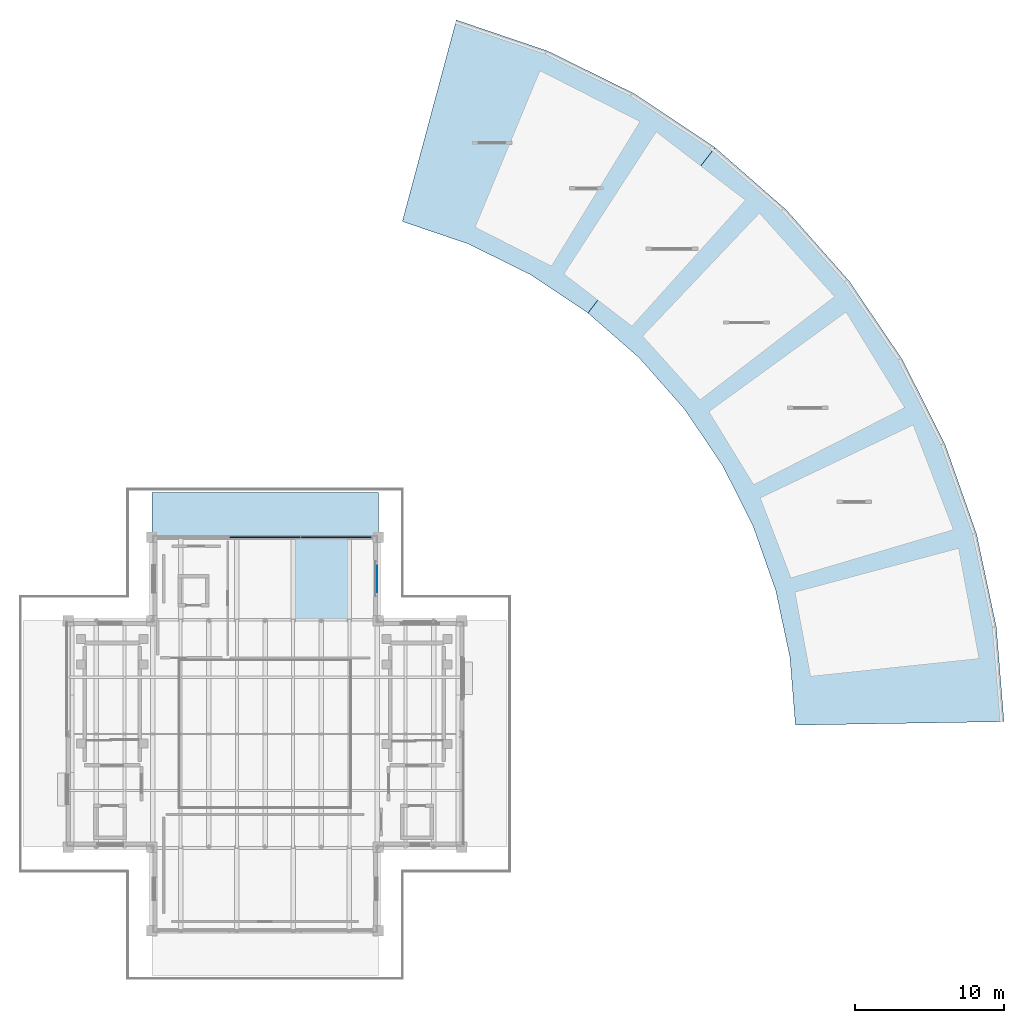
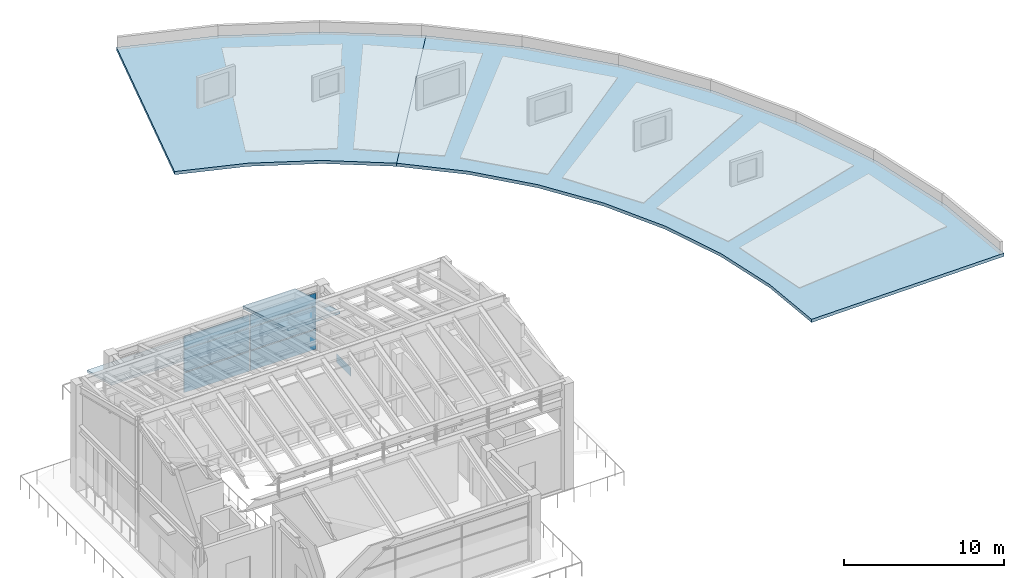
# One storey, part 5 of 11: 7 plates, 4 slabs, 1 element without a shape of its own.
"""IFC4 building model written with IfcOpenShell, lengths in metres."""

from ifc_helpers import new_model, si_unit, direction, frame, origin, origin_2d, place, context, subcontext, project, spatial, polyline, rectangle, outline, extrude, material, layer, layer_set, type_object, element, aggregate, save


model = new_model("IFC4")

# Units and contexts
model_context = context("Model", 3, precision=1e-05, world=origin(), true_north=direction((0.0, 1.0)))
body_context = subcontext(model_context, "Body", "Model", "MODEL_VIEW")
ifc_project = project(units=[si_unit("LENGTHUNIT", "METRE"), si_unit("AREAUNIT", "SQUARE_METRE"), si_unit("VOLUMEUNIT", "CUBIC_METRE"), si_unit("PLANEANGLEUNIT", "RADIAN"), si_unit("MASSUNIT", "GRAM", prefix="KILO")], contexts=[model_context])

# Site, building, storey
site_placement = place(None, origin())
site = spatial("IfcSite", under=ifc_project, at=site_placement, CompositionType="ELEMENT")
building_placement = place(site_placement, origin())
building = spatial("IfcBuilding", under=site, at=building_placement, Name="Saryqyr Civic Hall", CompositionType="ELEMENT")
storey_placement = place(building_placement, frame((0.0, 0.0, 29.39990234375)))
storey = spatial("IfcBuildingStorey", under=building, at=storey_placement, Name="L07", CompositionType="ELEMENT", Elevation=29.39990234375)

# Curtain wall, plates
ifc_material_1 = material(Name="Anodised aluminium and triple low-E glass", Category="aluminium")
curtain_wall_type = type_object("IfcCurtainWallType", Name="ENV-CW-HVY-50", PredefinedType="NOTDEFINED", material=ifc_material_1)
curtain_wall_placement = place(storey_placement, origin())
curtain_wall = element("IfcCurtainWall", 1, at=curtain_wall_placement, inside=storey, type_object=curtain_wall_type, Name="Curtain wall V1-CW-L07-05", PredefinedType="NOTDEFINED")
ifc_material_2 = material(Name="Acoustic laminated low-E glazing", Category="glass")
ifc_layer_1 = layer(ifc_material_2, 0.072021484375, Name="Acoustic laminated low-E glazing")
ifc_layer_set_1 = layer_set([ifc_layer_1], Name="Acoustic laminated low-E glazing")
plate_type_1 = type_object("IfcPlateType", Name="ENV-CW-PNL-52", PredefinedType="CURTAIN_PANEL", material=ifc_layer_set_1)
plate_1_placement = place(storey_placement, frame((57.0, 97.199951171875, 0.0703125), z_axis=(0.0, 0.0, 1.0), x_axis=(1.0, 0.0, 0.0)))
plate_1 = element("IfcPlate", 2, at=plate_1_placement, type_object=plate_type_1, Name="CW-50 panel 2.1", PredefinedType="CURTAIN_PANEL", context=body_context, shape_type="SweptSolid", body=[
    extrude(rectangle(XDim=4.736572265625, YDim=0.072021484375, at=origin_2d()), origin(), (0.0, 0.0, 1.0), 1.488037109375),
])
plate_2_placement = place(storey_placement, frame((57.0, 97.199951171875, 1.6279296875), z_axis=(0.0, 0.0, 1.0), x_axis=(1.0, 0.0, 0.0)))
plate_2 = element("IfcPlate", 3, at=plate_2_placement, type_object=plate_type_1, Name="CW-50 panel 2.2", PredefinedType="CURTAIN_PANEL", context=body_context, shape_type="SweptSolid", body=[
    extrude(rectangle(XDim=4.736572265625, YDim=0.072021484375, at=origin_2d()), origin(), (0.0, 0.0, 1.0), 1.699951171875),
])
plate_3_placement = place(storey_placement, frame((57.0, 97.199951171875, 3.398193359375), z_axis=(0.0, 0.0, 1.0), x_axis=(1.0, 0.0, 0.0)))
plate_3 = element("IfcPlate", 4, at=plate_3_placement, type_object=plate_type_1, Name="CW-50 panel 2.3", PredefinedType="CURTAIN_PANEL", context=body_context, shape_type="SweptSolid", body=[
    extrude(rectangle(XDim=4.736572265625, YDim=0.072021484375, at=origin_2d()), origin(), (0.0, 0.0, 1.0), 0.95703125),
])
plate_4_placement = place(storey_placement, frame((61.7890625, 97.199951171875, 0.0703125), z_axis=(0.0, 0.0, 1.0), x_axis=(1.0, 0.0, 0.0)))
plate_4 = element("IfcPlate", 5, at=plate_4_placement, type_object=plate_type_1, Name="CW-50 panel 3.1", PredefinedType="CURTAIN_PANEL", context=body_context, shape_type="SweptSolid", body=[
    extrude(rectangle(XDim=4.70166015625, YDim=0.072021484375, at=origin_2d()), origin(), (0.0, 0.0, 1.0), 1.488037109375),
])
plate_5_placement = place(storey_placement, frame((61.7890625, 97.199951171875, 1.6279296875), z_axis=(0.0, 0.0, 1.0), x_axis=(1.0, 0.0, 0.0)))
plate_5 = element("IfcPlate", 6, at=plate_5_placement, type_object=plate_type_1, Name="CW-50 panel 3.2", PredefinedType="CURTAIN_PANEL", context=body_context, shape_type="SweptSolid", body=[
    extrude(rectangle(XDim=4.70166015625, YDim=0.072021484375, at=origin_2d()), origin(), (0.0, 0.0, 1.0), 1.699951171875),
])
plate_6_placement = place(storey_placement, frame((61.7890625, 97.199951171875, 3.398193359375), z_axis=(0.0, 0.0, 1.0), x_axis=(1.0, 0.0, 0.0)))
plate_6 = element("IfcPlate", 7, at=plate_6_placement, type_object=plate_type_1, Name="CW-50 panel 3.3", PredefinedType="CURTAIN_PANEL", context=body_context, shape_type="SweptSolid", body=[
    extrude(rectangle(XDim=4.70166015625, YDim=0.072021484375, at=origin_2d()), origin(), (0.0, 0.0, 1.0), 0.95703125),
])
aggregate(curtain_wall, [plate_1, plate_2, plate_3, plate_4, plate_5, plate_6])

# Plate
ifc_material_3 = material(Name="Warm brushed brass-anodised aluminium", Category="aluminium")
ifc_layer_2 = layer(ifc_material_3, 0.008056640625, Name="Warm brushed brass-anodised aluminium")
ifc_layer_set_2 = layer_set([ifc_layer_2], Name="Warm brushed brass-anodised aluminium")
plate_type_2 = type_object("IfcPlateType", Name="ENV-PLT-BRASS-1", PredefinedType="SHEET", material=ifc_layer_set_2)
plate_7_placement = place(storey_placement, frame((64.537109375, 94.39990234375, 0.080078125), z_axis=(0.0, 0.0, 1.0), x_axis=(0.0, -1.0, 0.0)))
element("IfcPlate", 8, at=plate_7_placement, inside=storey, type_object=plate_type_2, Name="Warm brass spandrel cladding sheet L07-06", PredefinedType="SHEET", context=body_context, shape_type="SweptSolid", body=[
    extrude(rectangle(XDim=1.800048828125, YDim=0.008056640625, at=origin_2d()), origin(), (0.0, 0.0, 1.0), 0.679931640625),
])

# Slabs
ifc_material_4 = material(Name="Precast concrete C40/50", Category="concrete")
ifc_layer_3 = layer(ifc_material_4, 0.169921875, Name="Precast concrete C40/50")
ifc_layer_set_3 = layer_set([ifc_layer_3], Name="Precast concrete C40/50")
slab_type_1 = type_object("IfcSlabType", Name="STR-SLB-ROOF-170", PredefinedType="ROOF", material=ifc_layer_set_3)
slab_1_placement = place(storey_placement, frame((64.60009765625, 100.199951171875, 1.800048828125), z_axis=(0.0, 0.269656086049, 0.962956694383), x_axis=(-1.0, 0.0, 0.0)))
element("IfcSlab", 9, at=slab_1_placement, inside=storey, type_object=slab_type_1, Name="Chamber ring-beam valley skirt roof N", PredefinedType="ROOF", context=body_context, shape_type="SweptSolid", body=[
    extrude(outline(polyline([(0.0, 0.0), (15.2001953125, 0.0), (15.2001953125, 3.1154048956716305), (0.0, 3.1154048956716305), (0.0, 0.0)])), origin(), (0.0, 0.0, -1.0), 0.169921875),
])
ifc_layer_4 = layer(ifc_material_4, 0.18994140625, Name="Precast concrete C40/50")
ifc_layer_set_4 = layer_set([ifc_layer_4], Name="Precast concrete C40/50")
slab_type_2 = type_object("IfcSlabType", Name="STR-SLB-ROOF-190", PredefinedType="ROOF", material=ifc_layer_set_4)
slab_2_placement = place(storey_placement, frame((62.656982421875, 97.199951171875, 5.18017578125), z_axis=(0.0, 0.290480921523, 0.956880783709), x_axis=(-1.0, 0.0, 0.0)))
element("IfcSlab", 10, at=slab_2_placement, inside=storey, type_object=slab_type_2, Name="Chamber lower folded roof slab N bay 5", PredefinedType="ROOF", context=body_context, shape_type="SweptSolid", body=[
    extrude(outline(polyline([(0.0, 0.0), (3.771240234375, 0.0), (3.771240234375, 5.852195603636028), (0.0, 5.852195603636028), (0.0, 0.0)])), origin(), (0.0, 0.0, -1.0), 0.18994140625),
])
ifc_material_5 = material(Name="Concrete C35/45", Category="concrete")
ifc_layer_5 = layer(ifc_material_5, 0.239990234375, Name="Concrete C35/45")
ifc_layer_set_5 = layer_set([ifc_layer_5], Name="Concrete C35/45")
slab_type_3 = type_object("IfcSlabType", Name="STR-SLB-ROOF-240", PredefinedType="ROOF", material=ifc_layer_set_5)
slab_3_placement = place(storey_placement, frame((0.0, 0.0, -0.239990234375)))
element("IfcSlab", 11, at=slab_3_placement, inside=storey, type_object=slab_type_3, Name="Slab SLB-V6A-ROOF-L07", PredefinedType="ROOF", context=body_context, shape_type="SweptSolid", body=[
    extrude(outline(polyline([(92.59521484375, 84.590087890625), (92.225830078125, 89.14794921875), (91.275390625, 93.62060546875), (89.759521484375, 97.9345703125), (87.703125, 102.0185546875), (85.140380859375, 105.805419921875), (82.11328125, 109.232666015625), (78.671875, 112.243408203125), (87.194580078125, 123.350341796875), (91.9892578125, 119.155517578125), (96.206787109375, 114.380615234375), (99.777587890625, 109.1044921875), (102.642578125, 103.414306640625), (104.75439453125, 97.40380859375), (106.07861328125, 91.17236328125), (106.59326171875, 84.822509765625), (92.59521484375, 84.590087890625)])), origin(), (0.0, 0.0, 1.0), 0.239990234375),
])
slab_4_placement = place(storey_placement, frame((0.0, 0.0, -0.239990234375)))
element("IfcSlab", 12, at=slab_4_placement, inside=storey, type_object=slab_type_3, Name="Slab SLB-V6B-ROOF-L07", PredefinedType="ROOF", context=body_context, shape_type="SweptSolid", body=[
    extrude(outline(polyline([(74.800048828125, 114.83056640625), (70.62353515625, 116.89013671875), (66.214111328125, 118.386962890625), (69.83740234375, 131.909912109375), (75.981201171875, 129.824462890625), (81.800048828125, 126.954833984375), (87.194580078125, 123.350341796875), (78.671875, 112.243408203125), (74.800048828125, 114.83056640625)])), origin(), (0.0, 0.0, 1.0), 0.239990234375),
])

save(model, "model.ifc")
